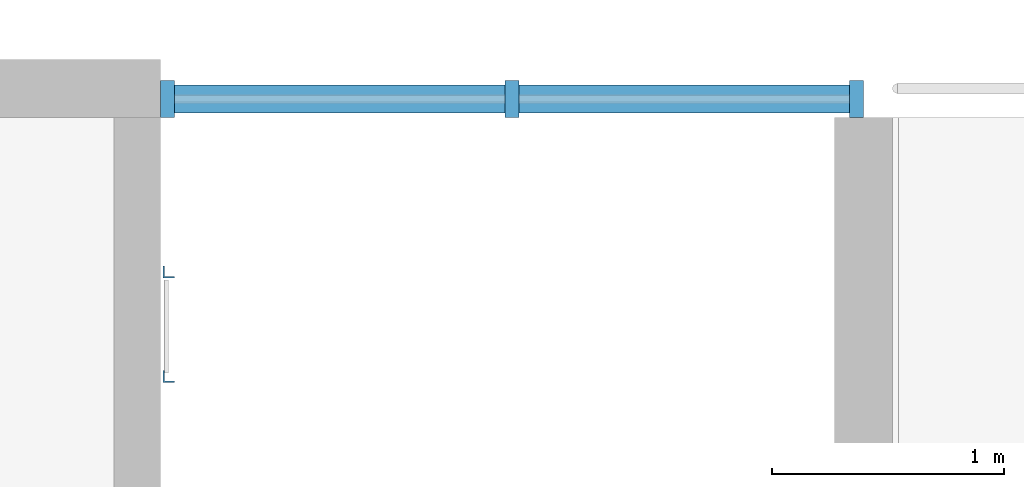
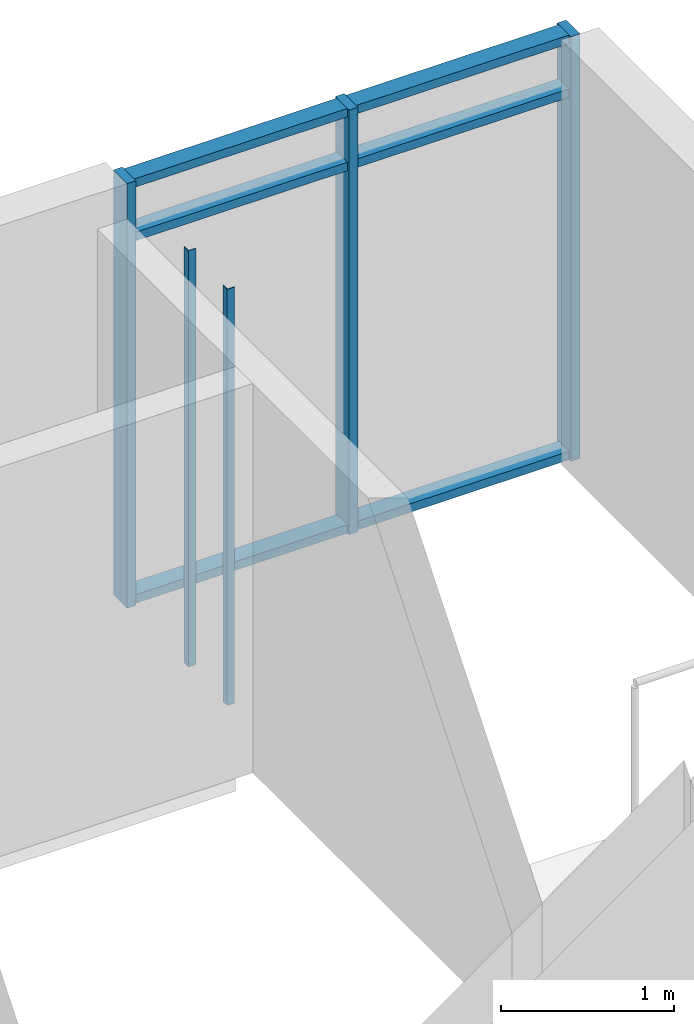
# One storey, part 26 of 87: 11 members, 1 element without a shape of its own.
"""IFC4 building model written with IfcOpenShell, lengths in metres."""

from ifc_helpers import new_model, si_unit, direction, frame, origin, origin_2d, place, context, subcontext, project, spatial, polyline, rectangle, outline, extrude, material, material_profile, profile_set, type_object, element, aggregate, save


model = new_model("IFC4")

# Units and contexts
model_context = context("Model", 3, precision=1e-05, world=origin(), true_north=direction((0.0, 1.0)))
body_context = subcontext(model_context, "Body", "Model", "MODEL_VIEW")
ifc_project = project(units=[si_unit("LENGTHUNIT", "METRE"), si_unit("AREAUNIT", "SQUARE_METRE"), si_unit("VOLUMEUNIT", "CUBIC_METRE"), si_unit("PLANEANGLEUNIT", "RADIAN"), si_unit("MASSUNIT", "GRAM", prefix="KILO")], contexts=[model_context])

# Site, building, storey
site_placement = place(None, origin())
site = spatial("IfcSite", under=ifc_project, at=site_placement, CompositionType="ELEMENT")
building_placement = place(site_placement, origin())
building = spatial("IfcBuilding", under=site, at=building_placement, Name="Ridgestep Commons", CompositionType="ELEMENT")
storey_placement = place(building_placement, frame((0.0, 0.0, 27.0)))
storey = spatial("IfcBuildingStorey", under=building, at=storey_placement, Name="L09", CompositionType="ELEMENT", Elevation=27.0)

# Members
ifc_material_1 = material(Name="Structural steel S355JR", Category="steel")
ifc_material_profile_1 = material_profile(ifc_material_1, outline(polyline([(-0.014404296875, -0.014404296875), (0.03564453125, -0.014404296875), (0.03564453125, -0.00927734375), (-0.00927734375, -0.00927734375), (-0.00927734375, 0.03564453125), (-0.014404296875, 0.03564453125), (-0.014404296875, -0.014404296875)])), Name="EA 50x50x5")
ifc_profile_set_1 = profile_set([ifc_material_profile_1], Name="Structural steel S355JR")
member_type_1 = type_object("IfcMemberType", Name="Core ladder stile EA 50x50x5", PredefinedType="STRINGER", material=ifc_profile_set_1)
for number, where, z_axis, x_axis, name in (
    (1, (233.800048828125, 75.875, 0.0), (0.0, 0.0, 1.0), (1.0, 0.0, 0.0), "Ladder stile C6C.1"),
    (2, (233.800048828125, 76.324951171875, 0.0), (0.0, 0.0, 1.0), (1.0, 0.0, 0.0), "Ladder stile C6C.2"),
):
    element("IfcMember", number, at=place(storey_placement, frame(where, z_axis=z_axis, x_axis=x_axis)), inside=storey, type_object=member_type_1, Name=name, PredefinedType="STRINGER", context=body_context, shape_type="SweptSolid", body=[
        extrude(outline(polyline([(-0.014404296875, -0.014404296875), (0.03564453125, -0.014404296875), (0.03564453125, -0.00927734375), (-0.00927734375, -0.00927734375), (-0.00927734375, 0.03564453125), (-0.014404296875, 0.03564453125), (-0.014404296875, -0.014404296875)])), origin(), (0.0, 0.0, 1.0), 2.93994140625),
    ])

# Curtain wall, members
ifc_material_2 = material(Name="Aluminium 6063-T6 and glass", Category="aluminium")
curtain_wall_type = type_object("IfcCurtainWallType", Name="Curtain wall stair strip", PredefinedType="NOTDEFINED", material=ifc_material_2)
curtain_wall_placement = place(storey_placement, origin())
curtain_wall = element("IfcCurtainWall", 3, at=curtain_wall_placement, inside=storey, type_object=curtain_wall_type, Name="Curtain wall C6C level 09", PredefinedType="NOTDEFINED")
ifc_material_3 = material(Name="Aluminium 6063-T6", Category="aluminium")
ifc_material_profile_2 = material_profile(ifc_material_3, rectangle(XDim=0.159912109375, YDim=0.06005859375, at=origin_2d()), Name="Mullion 60 x 160")
ifc_profile_set_2 = profile_set([ifc_material_profile_2], Name="Aluminium 6063-T6")
member_type_2 = type_object("IfcMemberType", Name="Mullion 60 x 160", PredefinedType="MULLION", material=ifc_profile_set_2)
member_1_placement = place(storey_placement, frame((233.804931640625, 77.080078125, 0.0), z_axis=(0.0, 0.0, 1.0), x_axis=(0.0, 1.0, 0.0)))
member_1 = element("IfcMember", 4, at=member_1_placement, type_object=member_type_2, Name="CW1 mullion 1", PredefinedType="MULLION", context=body_context, shape_type="SweptSolid", body=[
    extrude(rectangle(XDim=0.159912109375, YDim=0.06005859375, at=origin_2d()), origin(), (0.0, 0.0, 1.0), 3.0),
])
member_2_placement = place(storey_placement, frame((235.28759765625, 77.080078125, 0.0), z_axis=(0.0, 0.0, 1.0), x_axis=(0.0, 1.0, 0.0)))
member_2 = element("IfcMember", 5, at=member_2_placement, type_object=member_type_2, Name="CW1 mullion 2", PredefinedType="MULLION", context=body_context, shape_type="SweptSolid", body=[
    extrude(rectangle(XDim=0.159912109375, YDim=0.06005859375, at=origin_2d()), origin(), (0.0, 0.0, 1.0), 3.0),
])
member_3_placement = place(storey_placement, frame((236.77001953125, 77.080078125, 0.0), z_axis=(0.0, 0.0, 1.0), x_axis=(0.0, 1.0, 0.0)))
member_3 = element("IfcMember", 6, at=member_3_placement, type_object=member_type_2, Name="CW1 mullion 3", PredefinedType="MULLION", context=body_context, shape_type="SweptSolid", body=[
    extrude(rectangle(XDim=0.159912109375, YDim=0.06005859375, at=origin_2d()), origin(), (0.0, 0.0, 1.0), 3.0),
])
ifc_material_4 = material(Name="Aluminium 6063-T6", Category="aluminium")
ifc_material_profile_3 = material_profile(ifc_material_4, rectangle(XDim=0.1201171875, YDim=0.06005859375, at=origin_2d()), Name="Transom 60 x 120")
ifc_profile_set_3 = profile_set([ifc_material_profile_3], Name="Aluminium 6063-T6")
member_type_3 = type_object("IfcMemberType", Name="Transom 60 x 120", PredefinedType="USERDEFINED", material=ifc_profile_set_3)
member_4_placement = place(storey_placement, frame((233.8349609375, 77.080078125, 0.030029296875), z_axis=(1.0, 0.0, 0.0), x_axis=(0.0, 1.0, 0.0)))
member_4 = element("IfcMember", 7, at=member_4_placement, type_object=member_type_3, Name="CW1 transom 1.1", ObjectType="TRANSOM", PredefinedType="USERDEFINED", context=body_context, shape_type="SweptSolid", body=[
    extrude(rectangle(XDim=0.1201171875, YDim=0.06005859375, at=origin_2d()), origin(), (0.0, 0.0, 1.0), 1.422607421875),
])
member_5_placement = place(storey_placement, frame((233.8349609375, 77.080078125, 2.590087890625), z_axis=(1.0, 0.0, 0.0), x_axis=(0.0, 1.0, 0.0)))
member_5 = element("IfcMember", 8, at=member_5_placement, type_object=member_type_3, Name="CW1 transom 1.2", ObjectType="TRANSOM", PredefinedType="USERDEFINED", context=body_context, shape_type="SweptSolid", body=[
    extrude(rectangle(XDim=0.1201171875, YDim=0.06005859375, at=origin_2d()), origin(), (0.0, 0.0, 1.0), 1.422607421875),
])
member_6_placement = place(storey_placement, frame((233.8349609375, 77.080078125, 2.969970703125), z_axis=(1.0, 0.0, 0.0), x_axis=(0.0, 1.0, 0.0)))
member_6 = element("IfcMember", 9, at=member_6_placement, type_object=member_type_3, Name="CW1 transom 1.3", ObjectType="TRANSOM", PredefinedType="USERDEFINED", context=body_context, shape_type="SweptSolid", body=[
    extrude(rectangle(XDim=0.1201171875, YDim=0.06005859375, at=origin_2d()), origin(), (0.0, 0.0, 1.0), 1.422607421875),
])
member_7_placement = place(storey_placement, frame((235.3173828125, 77.080078125, 0.030029296875), z_axis=(1.0, 0.0, 0.0), x_axis=(0.0, 1.0, 0.0)))
member_7 = element("IfcMember", 10, at=member_7_placement, type_object=member_type_3, Name="CW1 transom 2.1", ObjectType="TRANSOM", PredefinedType="USERDEFINED", context=body_context, shape_type="SweptSolid", body=[
    extrude(rectangle(XDim=0.1201171875, YDim=0.06005859375, at=origin_2d()), origin(), (0.0, 0.0, 1.0), 1.422607421875),
])
member_8_placement = place(storey_placement, frame((235.3173828125, 77.080078125, 2.590087890625), z_axis=(1.0, 0.0, 0.0), x_axis=(0.0, 1.0, 0.0)))
member_8 = element("IfcMember", 11, at=member_8_placement, type_object=member_type_3, Name="CW1 transom 2.2", ObjectType="TRANSOM", PredefinedType="USERDEFINED", context=body_context, shape_type="SweptSolid", body=[
    extrude(rectangle(XDim=0.1201171875, YDim=0.06005859375, at=origin_2d()), origin(), (0.0, 0.0, 1.0), 1.422607421875),
])
member_9_placement = place(storey_placement, frame((235.3173828125, 77.080078125, 2.969970703125), z_axis=(1.0, 0.0, 0.0), x_axis=(0.0, 1.0, 0.0)))
member_9 = element("IfcMember", 12, at=member_9_placement, type_object=member_type_3, Name="CW1 transom 2.3", ObjectType="TRANSOM", PredefinedType="USERDEFINED", context=body_context, shape_type="SweptSolid", body=[
    extrude(rectangle(XDim=0.1201171875, YDim=0.06005859375, at=origin_2d()), origin(), (0.0, 0.0, 1.0), 1.422607421875),
])
aggregate(curtain_wall, [member_1, member_2, member_3, member_4, member_5, member_6, member_7, member_8, member_9])

save(model, "model.ifc")
